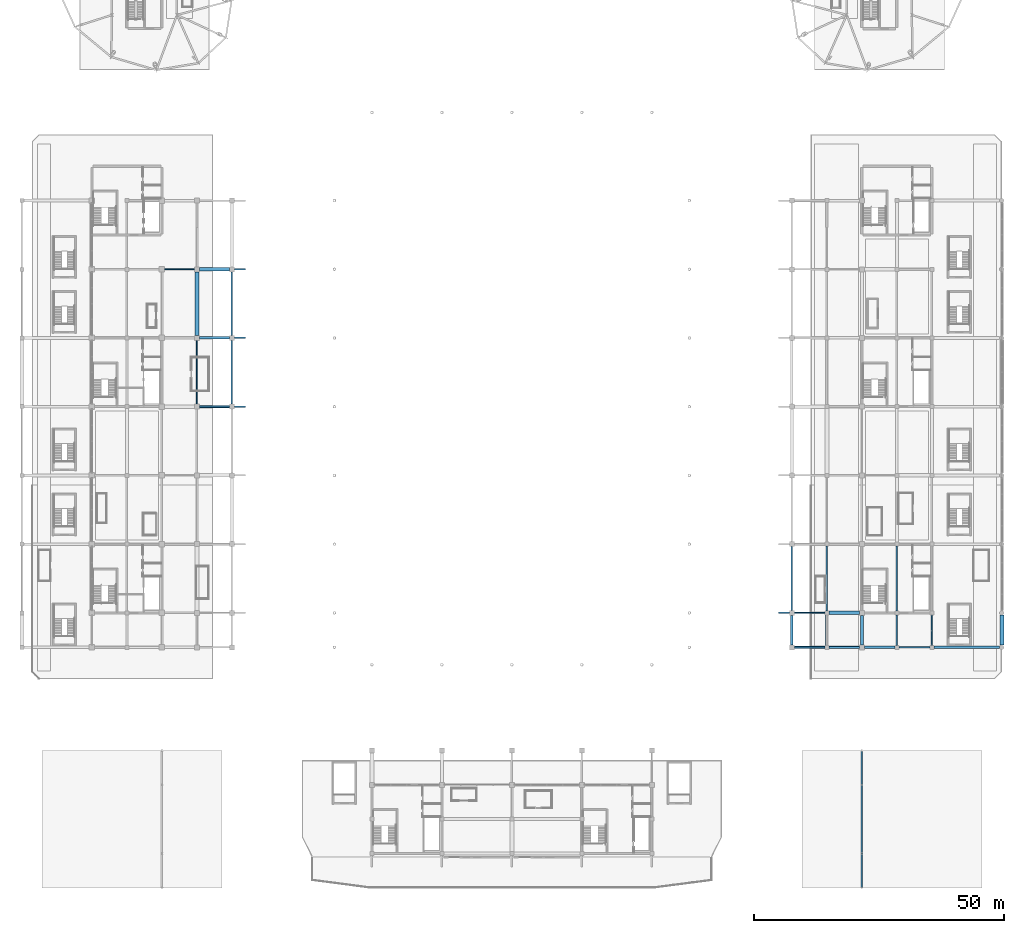
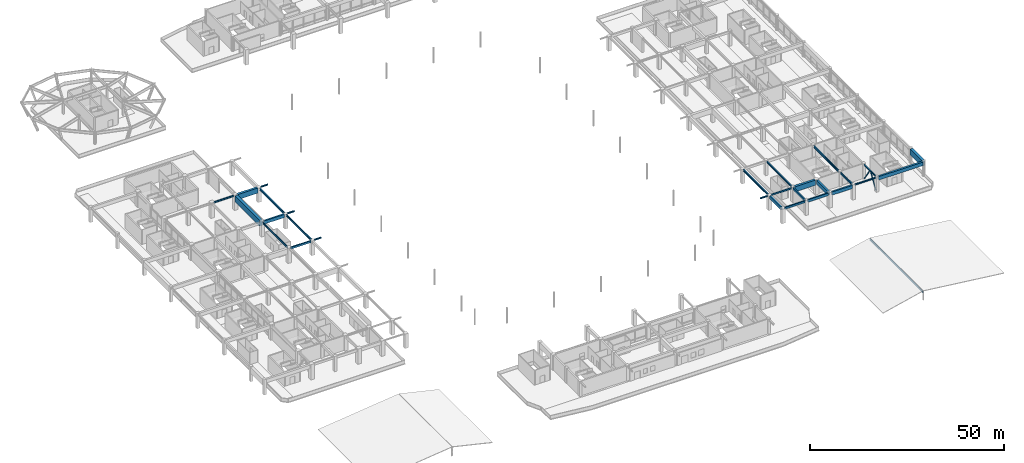
# One storey, part 34 of 91: 29 beams, 2 members.
"""IFC4 building model written with IfcOpenShell, lengths in metres."""

from ifc_helpers import new_model, si_unit, direction, frame, origin, origin_2d, place, context, subcontext, project, spatial, rectangle, hollow_circle, i_section, extrude, material, material_profile, profile_set, type_object, element, save


model = new_model("IFC4")

# Units and contexts
model_context = context("Model", 3, precision=1e-05, world=origin(), true_north=direction((0.0, 1.0)))
body_context = subcontext(model_context, "Body", "Model", "MODEL_VIEW")
ifc_project = project(units=[si_unit("LENGTHUNIT", "METRE"), si_unit("AREAUNIT", "SQUARE_METRE"), si_unit("VOLUMEUNIT", "CUBIC_METRE"), si_unit("PLANEANGLEUNIT", "RADIAN"), si_unit("MASSUNIT", "GRAM", prefix="KILO")], contexts=[model_context])

# Site, building, storey
site_placement = place(None, origin())
site = spatial("IfcSite", under=ifc_project, at=site_placement, CompositionType="ELEMENT")
building_placement = place(site_placement, origin())
building = spatial("IfcBuilding", under=site, at=building_placement, Name="Linyun Crest Stadium", CompositionType="ELEMENT")
storey_placement = place(building_placement, frame((0.0, 0.0, 11.39990234375)))
storey = spatial("IfcBuildingStorey", under=building, at=storey_placement, Name="L03", CompositionType="ELEMENT", Elevation=11.39990234375)

# Beams
ifc_material_1 = material(Name="Concrete C40", Category="concrete")
ifc_material_profile_1 = material_profile(ifc_material_1, rectangle(XDim=0.35009765625, YDim=0.60009765625, at=origin_2d()), Name="RCB 600x350")
ifc_profile_set_1 = profile_set([ifc_material_profile_1], Name="Concrete C40")
beam_type_1 = type_object("IfcBeamType", Name="B01", PredefinedType="BEAM", material=ifc_profile_set_1)
beam_1_placement = place(storey_placement, frame((-62.5, 2.125, 4.239990234375), z_axis=(1.0, 0.0, 0.0), x_axis=(0.0, 1.0, 0.0)))
element("IfcBeam", 1, at=beam_1_placement, inside=storey, type_object=beam_type_1, Name="Frame beam B01 L03 244", PredefinedType="BEAM", context=body_context, shape_type="SweptSolid", body=[
    extrude(rectangle(XDim=0.35009765625, YDim=0.60009765625, at=origin_2d()), origin(), (0.0, 0.0, 1.0), 6.0),
])
beam_2_placement = place(storey_placement, frame((56.5, -46.0, 4.280029296875), z_axis=(1.0, 0.0, 0.0), x_axis=(0.0, 1.0, 0.0)))
element("IfcBeam", 2, at=beam_2_placement, inside=storey, type_object=beam_type_1, Name="Frame beam B01 L03 606", PredefinedType="BEAM", context=body_context, shape_type="SweptSolid", body=[
    extrude(rectangle(XDim=0.35009765625, YDim=0.60009765625, at=origin_2d()), origin(), (0.0, 0.0, 1.0), 6.10009765625),
])
ifc_material_2 = material(Name="Concrete C40", Category="concrete")
ifc_material_profile_2 = material_profile(ifc_material_2, rectangle(XDim=0.35009765625, YDim=0.64990234375, at=origin_2d()), Name="RCB 650x350")
ifc_profile_set_2 = profile_set([ifc_material_profile_2], Name="Concrete C40")
beam_type_2 = type_object("IfcBeamType", Name="B02", PredefinedType="BEAM", material=ifc_profile_set_2)
beam_3_placement = place(storey_placement, frame((63.0, -45.60009765625, 4.255126953125), z_axis=(0.0, 1.0, 0.0), x_axis=(-1.0, 0.0, 0.0)))
element("IfcBeam", 3, at=beam_3_placement, inside=storey, type_object=beam_type_2, Name="Frame beam B02 L03 649", PredefinedType="BEAM", context=body_context, shape_type="SweptSolid", body=[
    extrude(rectangle(XDim=0.35009765625, YDim=0.64990234375, at=origin_2d()), origin(), (0.0, 0.0, 1.0), 6.0751953125),
])
ifc_material_3 = material(Name="Concrete C40", Category="concrete")
ifc_material_profile_3 = material_profile(ifc_material_3, rectangle(XDim=0.39990234375, YDim=0.75, at=origin_2d()), Name="RCB 750x400")
ifc_profile_set_3 = profile_set([ifc_material_profile_3], Name="Concrete C40")
beam_type_3 = type_object("IfcBeamType", Name="B03", PredefinedType="BEAM", material=ifc_profile_set_3)
beam_4_placement = place(storey_placement, frame((63.39990234375, -46.0, 4.205078125), z_axis=(1.0, 0.0, 0.0), x_axis=(0.0, 1.0, 0.0)))
element("IfcBeam", 4, at=beam_4_placement, inside=storey, type_object=beam_type_3, Name="Frame beam B03 L03 607", PredefinedType="BEAM", context=body_context, shape_type="SweptSolid", body=[
    extrude(rectangle(XDim=0.39990234375, YDim=0.75, at=origin_2d()), origin(), (0.0, 0.0, 1.0), 6.10009765625),
])
ifc_material_4 = material(Name="Concrete C40", Category="concrete")
ifc_material_profile_4 = material_profile(ifc_material_4, rectangle(XDim=0.449951171875, YDim=0.85009765625, at=origin_2d()), Name="RCB 850x450")
ifc_profile_set_4 = profile_set([ifc_material_profile_4], Name="Concrete C40")
beam_type_4 = type_object("IfcBeamType", Name="B04", PredefinedType="BEAM", material=ifc_profile_set_4)
beam_5_placement = place(storey_placement, frame((56.0, -45.5, 4.114990234375), z_axis=(0.0, 1.0, 0.0), x_axis=(-1.0, 0.0, 0.0)))
element("IfcBeam", 5, at=beam_5_placement, inside=storey, type_object=beam_type_4, Name="Frame beam B04 L03 642", PredefinedType="BEAM", context=body_context, shape_type="SweptSolid", body=[
    extrude(rectangle(XDim=0.449951171875, YDim=0.85009765625, at=origin_2d()), origin(), (0.0, 0.0, 1.0), 5.875),
])
ifc_material_5 = material(Name="Concrete C40", Category="concrete")
ifc_material_profile_5 = material_profile(ifc_material_5, rectangle(XDim=0.5, YDim=1.0, at=origin_2d()), Name="RCB 1000x500")
ifc_profile_set_5 = profile_set([ifc_material_profile_5], Name="Concrete C40")
beam_type_5 = type_object("IfcBeamType", Name="B05", PredefinedType="BEAM", material=ifc_profile_set_5)
beam_6_placement = place(storey_placement, frame((-62.5, 15.875, 4.0400390625), z_axis=(1.0, 0.0, 0.0), x_axis=(0.0, 1.0, 0.0)))
element("IfcBeam", 6, at=beam_6_placement, inside=storey, type_object=beam_type_5, Name="Frame beam B05 L03 247", PredefinedType="BEAM", context=body_context, shape_type="SweptSolid", body=[
    extrude(rectangle(XDim=0.5, YDim=1.0, at=origin_2d()), origin(), (0.0, 0.0, 1.0), 6.0),
])
beam_7_placement = place(storey_placement, frame((70.5, -46.0, 4.080078125), z_axis=(1.0, 0.0, 0.0), x_axis=(0.0, 1.0, 0.0)))
element("IfcBeam", 7, at=beam_7_placement, inside=storey, type_object=beam_type_5, Name="Frame beam B05 L03 608", PredefinedType="BEAM", context=body_context, shape_type="SweptSolid", body=[
    extrude(rectangle(XDim=0.5, YDim=1.0, at=origin_2d()), origin(), (0.0, 0.0, 1.0), 6.10009765625),
])
ifc_material_6 = material(Name="Steel Q355C", Category="steel")
ifc_material_profile_6 = material_profile(ifc_material_6, i_section(OverallWidth=0.300048828125, OverallDepth=0.389892578125, WebThickness=0.010009765625, FlangeThickness=0.01611328125, at=origin_2d()), Name="HM 390x300")
ifc_profile_set_6 = profile_set([ifc_material_profile_6], Name="Steel Q355C")
beam_type_6 = type_object("IfcBeamType", Name="B06", PredefinedType="BEAM", material=ifc_profile_set_6)
beam_8_placement = place(storey_placement, frame((70.0, -94.125, 2.3701171875), z_axis=(0.0, 1.0, 0.0), x_axis=(-1.0, 0.0, 0.0)))
element("IfcBeam", 8, at=beam_8_placement, inside=storey, type_object=beam_type_6, Name="Pavilion ridge beam B06 SE 79", PredefinedType="BEAM", context=body_context, shape_type="SweptSolid", body=[
    extrude(i_section(OverallWidth=0.300048828125, OverallDepth=0.389892578125, WebThickness=0.010009765625, FlangeThickness=0.01611328125, at=origin_2d()), origin(), (0.0, 0.0, 1.0), 27.5),
])
for number, where, z_axis, x_axis, name in (
    (9, (-55.5, 2.125, 4.34521484375), (1.0, 0.0, 0.0), (0.0, 1.0, 0.0), "Balcony bracket beam B06 L03 259"),
    (10, (-55.5, 15.875, 4.34521484375), (1.0, 0.0, 0.0), (0.0, 1.0, 0.0), "Balcony bracket beam B06 L03 260"),
    (11, (-55.5, 29.625, 4.34521484375), (1.0, 0.0, 0.0), (0.0, 1.0, 0.0), "Balcony bracket beam B06 L03 261"),
):
    element("IfcBeam", number, at=place(storey_placement, frame(where, z_axis=z_axis, x_axis=x_axis)), inside=storey, type_object=beam_type_6, Name=name, PredefinedType="BEAM", context=body_context, shape_type="SweptSolid", body=[
        extrude(i_section(OverallWidth=0.300048828125, OverallDepth=0.389892578125, WebThickness=0.010009765625, FlangeThickness=0.01611328125, at=origin_2d()), origin(), (0.0, 0.0, 1.0), 2.199951171875),
    ])
beam_9_placement = place(storey_placement, frame((77.39990234375, -46.0, 4.385009765625), z_axis=(1.0, 0.0, 0.0), x_axis=(0.0, 1.0, 0.0)))
element("IfcBeam", 12, at=beam_9_placement, inside=storey, type_object=beam_type_6, Name="Frame beam B06 L03 609", PredefinedType="BEAM", context=body_context, shape_type="SweptSolid", body=[
    extrude(i_section(OverallWidth=0.300048828125, OverallDepth=0.389892578125, WebThickness=0.010009765625, FlangeThickness=0.01611328125, at=origin_2d()), origin(), (0.0, 0.0, 1.0), 6.2001953125),
])
beam_10_placement = place(storey_placement, frame((55.5, -39.125, 4.34521484375), z_axis=(-1.0, 0.0, 0.0), x_axis=(0.0, -1.0, 0.0)))
element("IfcBeam", 13, at=beam_10_placement, inside=storey, type_object=beam_type_6, Name="Balcony bracket beam B06 L03 635", PredefinedType="BEAM", context=body_context, shape_type="SweptSolid", body=[
    extrude(i_section(OverallWidth=0.300048828125, OverallDepth=0.389892578125, WebThickness=0.010009765625, FlangeThickness=0.01611328125, at=origin_2d()), origin(), (0.0, 0.0, 1.0), 2.199951171875),
])
ifc_material_7 = material(Name="Steel Q355C", Category="steel")
ifc_material_profile_7 = material_profile(ifc_material_7, i_section(OverallWidth=0.300048828125, OverallDepth=0.43994140625, WebThickness=0.010986328125, FlangeThickness=0.01806640625, at=origin_2d()), Name="HM 440x300")
ifc_profile_set_7 = profile_set([ifc_material_profile_7], Name="Steel Q355C")
beam_type_7 = type_object("IfcBeamType", Name="B07", PredefinedType="BEAM", material=ifc_profile_set_7)
beam_11_placement = place(storey_placement, frame((63.0, -38.72509765625, 4.360107421875), z_axis=(0.0, 1.0, 0.0), x_axis=(-1.0, 0.0, 0.0)))
element("IfcBeam", 14, at=beam_11_placement, inside=storey, type_object=beam_type_7, Name="Frame beam B07 L03 650", PredefinedType="BEAM", context=body_context, shape_type="SweptSolid", body=[
    extrude(i_section(OverallWidth=0.300048828125, OverallDepth=0.43994140625, WebThickness=0.010986328125, FlangeThickness=0.01806640625, at=origin_2d()), origin(), (0.0, 0.0, 1.0), 12.9501953125),
])
beam_12_placement = place(storey_placement, frame((84.0, -45.60009765625, 4.360107421875), z_axis=(0.0, 1.0, 0.0), x_axis=(-1.0, 0.0, 0.0)))
element("IfcBeam", 15, at=beam_12_placement, inside=storey, type_object=beam_type_7, Name="Frame beam B07 L03 667", PredefinedType="BEAM", context=body_context, shape_type="SweptSolid", body=[
    extrude(i_section(OverallWidth=0.300048828125, OverallDepth=0.43994140625, WebThickness=0.010986328125, FlangeThickness=0.01806640625, at=origin_2d()), origin(), (0.0, 0.0, 1.0), 6.0751953125),
])
ifc_material_8 = material(Name="Steel Q355C", Category="steel")
ifc_material_profile_8 = material_profile(ifc_material_8, i_section(OverallWidth=0.300048828125, OverallDepth=0.587890625, WebThickness=0.011962890625, FlangeThickness=0.02001953125, at=origin_2d()), Name="HM 588x300")
ifc_profile_set_8 = profile_set([ifc_material_profile_8], Name="Steel Q355C")
beam_type_8 = type_object("IfcBeamType", Name="B09", PredefinedType="BEAM", material=ifc_profile_set_8)
for number, where, z_axis, x_axis, name in (
    (16, (-56.0, 2.625, 4.24609375), (0.0, 1.0, 0.0), (-1.0, 0.0, 0.0), "Frame beam B09 L03 296"),
    (17, (56.0, -38.625, 4.24609375), (0.0, 1.0, 0.0), (-1.0, 0.0, 0.0), "Frame beam B09 L03 643"),
):
    element("IfcBeam", number, at=place(storey_placement, frame(where, z_axis=z_axis, x_axis=x_axis)), inside=storey, type_object=beam_type_8, Name=name, PredefinedType="BEAM", context=body_context, shape_type="SweptSolid", body=[
        extrude(i_section(OverallWidth=0.300048828125, OverallDepth=0.587890625, WebThickness=0.011962890625, FlangeThickness=0.02001953125, at=origin_2d()), origin(), (0.0, 0.0, 1.0), 12.75),
    ])
beam_13_placement = place(storey_placement, frame((77.0, -45.60009765625, 4.2861328125), z_axis=(0.0, 1.0, 0.0), x_axis=(-1.0, 0.0, 0.0)))
element("IfcBeam", 18, at=beam_13_placement, inside=storey, type_object=beam_type_8, Name="Frame beam B09 L03 660", PredefinedType="BEAM", context=body_context, shape_type="SweptSolid", body=[
    extrude(i_section(OverallWidth=0.300048828125, OverallDepth=0.587890625, WebThickness=0.011962890625, FlangeThickness=0.02001953125, at=origin_2d()), origin(), (0.0, 0.0, 1.0), 6.0751953125),
])
ifc_material_9 = material(Name="Steel Q355C", Category="steel")
ifc_material_profile_9 = material_profile(ifc_material_9, i_section(OverallWidth=0.199951171875, OverallDepth=0.5, WebThickness=0.010009765625, FlangeThickness=0.01611328125, at=origin_2d()), Name="HN 500x200")
ifc_profile_set_9 = profile_set([ifc_material_profile_9], Name="Steel Q355C")
beam_type_9 = type_object("IfcBeamType", Name="B10", PredefinedType="BEAM", material=ifc_profile_set_9)
beam_14_placement = place(storey_placement, frame((-69.449951171875, 29.625, 4.330078125), z_axis=(1.0, 0.0, 0.0), x_axis=(0.0, 1.0, 0.0)))
element("IfcBeam", 19, at=beam_14_placement, inside=storey, type_object=beam_type_9, Name="Frame beam B10 L03 250", PredefinedType="BEAM", context=body_context, shape_type="SweptSolid", body=[
    extrude(i_section(OverallWidth=0.199951171875, OverallDepth=0.5, WebThickness=0.010009765625, FlangeThickness=0.01611328125, at=origin_2d()), origin(), (0.0, 0.0, 1.0), 5.949951171875),
])
beam_15_placement = place(storey_placement, frame((56.5, -39.125, 4.2900390625), z_axis=(1.0, 0.0, 0.0), x_axis=(0.0, 1.0, 0.0)))
element("IfcBeam", 20, at=beam_15_placement, inside=storey, type_object=beam_type_9, Name="Frame beam B10 L03 611", PredefinedType="BEAM", context=body_context, shape_type="SweptSolid", body=[
    extrude(i_section(OverallWidth=0.199951171875, OverallDepth=0.5, WebThickness=0.010009765625, FlangeThickness=0.01611328125, at=origin_2d()), origin(), (0.0, 0.0, 1.0), 6.10009765625),
])
ifc_material_10 = material(Name="Steel Q355C", Category="steel")
ifc_material_profile_10 = material_profile(ifc_material_10, i_section(OverallWidth=0.199951171875, OverallDepth=0.60009765625, WebThickness=0.010986328125, FlangeThickness=0.01708984375, at=origin_2d()), Name="HN 600x200")
ifc_profile_set_10 = profile_set([ifc_material_profile_10], Name="Steel Q355C")
beam_type_10 = type_object("IfcBeamType", Name="B11", PredefinedType="BEAM", material=ifc_profile_set_10)
beam_16_placement = place(storey_placement, frame((-63.0, 2.625, 4.280029296875), z_axis=(0.0, 1.0, 0.0), x_axis=(-1.0, 0.0, 0.0)))
element("IfcBeam", 21, at=beam_16_placement, inside=storey, type_object=beam_type_10, Name="Frame beam B11 L03 289", PredefinedType="BEAM", context=body_context, shape_type="SweptSolid", body=[
    extrude(i_section(OverallWidth=0.199951171875, OverallDepth=0.60009765625, WebThickness=0.010986328125, FlangeThickness=0.01708984375, at=origin_2d()), origin(), (0.0, 0.0, 1.0), 12.75),
])
ifc_material_11 = material(Name="Steel Q355C", Category="steel")
ifc_material_profile_11 = material_profile(ifc_material_11, i_section(OverallWidth=0.300048828125, OverallDepth=0.699951171875, WebThickness=0.012939453125, FlangeThickness=0.02392578125, at=origin_2d()), Name="HN 700x300")
ifc_profile_set_11 = profile_set([ifc_material_profile_11], Name="Steel Q355C")
beam_type_11 = type_object("IfcBeamType", Name="B12", PredefinedType="BEAM", material=ifc_profile_set_11)
beam_17_placement = place(storey_placement, frame((-56.0, 16.375, 4.190185546875), z_axis=(0.0, 1.0, 0.0), x_axis=(-1.0, 0.0, 0.0)))
element("IfcBeam", 22, at=beam_17_placement, inside=storey, type_object=beam_type_11, Name="Frame beam B12 L03 297", PredefinedType="BEAM", context=body_context, shape_type="SweptSolid", body=[
    extrude(i_section(OverallWidth=0.300048828125, OverallDepth=0.699951171875, WebThickness=0.012939453125, FlangeThickness=0.02392578125, at=origin_2d()), origin(), (0.0, 0.0, 1.0), 12.75),
])
beam_18_placement = place(storey_placement, frame((77.0, -38.72509765625, 4.22998046875), z_axis=(0.0, 1.0, 0.0), x_axis=(-1.0, 0.0, 0.0)))
element("IfcBeam", 23, at=beam_18_placement, inside=storey, type_object=beam_type_11, Name="Frame beam B12 L03 661", PredefinedType="BEAM", context=body_context, shape_type="SweptSolid", body=[
    extrude(i_section(OverallWidth=0.300048828125, OverallDepth=0.699951171875, WebThickness=0.012939453125, FlangeThickness=0.02392578125, at=origin_2d()), origin(), (0.0, 0.0, 1.0), 12.9501953125),
])
ifc_material_12 = material(Name="Concrete C50", Category="concrete")
ifc_material_profile_12 = material_profile(ifc_material_12, rectangle(XDim=0.699951171875, YDim=1.60009765625, at=origin_2d()), Name="RCB 1600x700")
ifc_profile_set_12 = profile_set([ifc_material_profile_12], Name="Concrete C50")
beam_type_12 = type_object("IfcBeamType", Name="B13", PredefinedType="BEAM", material=ifc_profile_set_12)
beam_19_placement = place(storey_placement, frame((-62.5, 29.625, 3.739990234375), z_axis=(1.0, 0.0, 0.0), x_axis=(0.0, 1.0, 0.0)))
element("IfcBeam", 24, at=beam_19_placement, inside=storey, type_object=beam_type_12, Name="Frame beam B13 L03 251", PredefinedType="BEAM", context=body_context, shape_type="SweptSolid", body=[
    extrude(rectangle(XDim=0.699951171875, YDim=1.60009765625, at=origin_2d()), origin(), (0.0, 0.0, 1.0), 6.0),
])
beam_20_placement = place(storey_placement, frame((63.39990234375, -39.125, 3.780029296875), z_axis=(1.0, 0.0, 0.0), x_axis=(0.0, 1.0, 0.0)))
element("IfcBeam", 25, at=beam_20_placement, inside=storey, type_object=beam_type_12, Name="Frame beam B13 L03 612", PredefinedType="BEAM", context=body_context, shape_type="SweptSolid", body=[
    extrude(rectangle(XDim=0.699951171875, YDim=1.60009765625, at=origin_2d()), origin(), (0.0, 0.0, 1.0), 6.10009765625),
])
ifc_material_13 = material(Name="Concrete C50", Category="concrete")
ifc_material_profile_13 = material_profile(ifc_material_13, rectangle(XDim=0.800048828125, YDim=1.800048828125, at=origin_2d()), Name="RCB 1800x800")
ifc_profile_set_13 = profile_set([ifc_material_profile_13], Name="Concrete C50")
beam_type_13 = type_object("IfcBeamType", Name="B14", PredefinedType="BEAM", material=ifc_profile_set_13)
beam_21_placement = place(storey_placement, frame((-63.0, 16.375, 3.68017578125), z_axis=(0.0, 1.0, 0.0), x_axis=(-1.0, 0.0, 0.0)))
element("IfcBeam", 26, at=beam_21_placement, inside=storey, type_object=beam_type_13, Name="Frame beam B14 L03 290", PredefinedType="BEAM", context=body_context, shape_type="SweptSolid", body=[
    extrude(rectangle(XDim=0.800048828125, YDim=1.800048828125, at=origin_2d()), origin(), (0.0, 0.0, 1.0), 12.75),
])
beam_22_placement = place(storey_placement, frame((98.0, -45.550048828125, 3.68017578125), z_axis=(0.0, 1.0, 0.0), x_axis=(-1.0, 0.0, 0.0)))
element("IfcBeam", 27, at=beam_22_placement, inside=storey, type_object=beam_type_13, Name="Frame beam B14 L03 671", PredefinedType="BEAM", context=body_context, shape_type="SweptSolid", body=[
    extrude(rectangle(XDim=0.800048828125, YDim=1.800048828125, at=origin_2d()), origin(), (0.0, 0.0, 1.0), 5.97509765625),
])

# Members
ifc_material_14 = material(Name="Steel Q355C", Category="steel")
ifc_material_profile_14 = material_profile(ifc_material_14, hollow_circle(Radius=0.083984375, WallThickness=0.010009765625, at=origin_2d()), Name="CHS 168x10")
ifc_profile_set_14 = profile_set([ifc_material_profile_14], Name="Steel Q355C")
member_type = type_object("IfcMemberType", Name="BR01", PredefinedType="BRACE", material=ifc_profile_set_14)
member_1_placement = place(storey_placement, frame((84.0, -45.60009765625, 0.0), z_axis=(0.0, 0.551640186706, 0.834082192839), x_axis=(-1.0, 0.0, 0.0)))
element("IfcMember", 28, at=member_1_placement, inside=storey, type_object=member_type, Name="Frame brace BR01 L03 13", PredefinedType="BRACE", context=body_context, shape_type="SweptSolid", body=[
    extrude(hollow_circle(Radius=0.083984375, WallThickness=0.010009765625, at=origin_2d()), origin(), (0.0, 0.0, 1.0), 5.253662109375),
])
member_2_placement = place(storey_placement, frame((84.0, -39.52490234375, 0.0), z_axis=(0.0, -0.551510852596, 0.83416771663), x_axis=(1.0, 0.0, 0.0)))
element("IfcMember", 29, at=member_2_placement, inside=storey, type_object=member_type, Name="Frame brace BR01 L03 14", PredefinedType="BRACE", context=body_context, shape_type="SweptSolid", body=[
    extrude(hollow_circle(Radius=0.083984375, WallThickness=0.010009765625, at=origin_2d()), origin(), (0.0, 0.0, 1.0), 5.253173828125),
])

# Beams
ifc_material_15 = material(Name="Concrete C50", Category="concrete")
ifc_material_profile_15 = material_profile(ifc_material_15, rectangle(XDim=0.550048828125, YDim=1.10009765625, at=origin_2d()), Name="RCB 1100x550")
ifc_profile_set_15 = profile_set([ifc_material_profile_15], Name="Concrete C50")
beam_type_14 = type_object("IfcBeamType", Name="TB01", PredefinedType="USERDEFINED", material=ifc_profile_set_15)
beam_23_placement = place(storey_placement, frame((84.39990234375, -46.0, 4.030029296875), z_axis=(1.0, 0.0, 0.0), x_axis=(0.0, 1.0, 0.0)))
element("IfcBeam", 30, at=beam_23_placement, inside=storey, type_object=beam_type_14, Name="Frame beam TB01 L03 610", ObjectType="GIRDER", PredefinedType="USERDEFINED", context=body_context, shape_type="SweptSolid", body=[
    extrude(rectangle(XDim=0.550048828125, YDim=1.10009765625, at=origin_2d()), origin(), (0.0, 0.0, 1.0), 13.150146484375),
])
ifc_material_16 = material(Name="Concrete C50", Category="concrete")
ifc_material_profile_16 = material_profile(ifc_material_16, rectangle(XDim=0.60009765625, YDim=1.199951171875, at=origin_2d()), Name="RCB 1200x600")
ifc_profile_set_16 = profile_set([ifc_material_profile_16], Name="Concrete C50")
beam_type_15 = type_object("IfcBeamType", Name="TB02", PredefinedType="USERDEFINED", material=ifc_profile_set_16)
beam_24_placement = place(storey_placement, frame((70.0, -45.5, 3.97998046875), z_axis=(0.0, 1.0, 0.0), x_axis=(-1.0, 0.0, 0.0)))
element("IfcBeam", 31, at=beam_24_placement, inside=storey, type_object=beam_type_15, Name="Frame beam TB02 L03 656", ObjectType="GIRDER", PredefinedType="USERDEFINED", context=body_context, shape_type="SweptSolid", body=[
    extrude(rectangle(XDim=0.60009765625, YDim=1.199951171875, at=origin_2d()), origin(), (0.0, 0.0, 1.0), 5.875),
])

save(model, "model.ifc")
